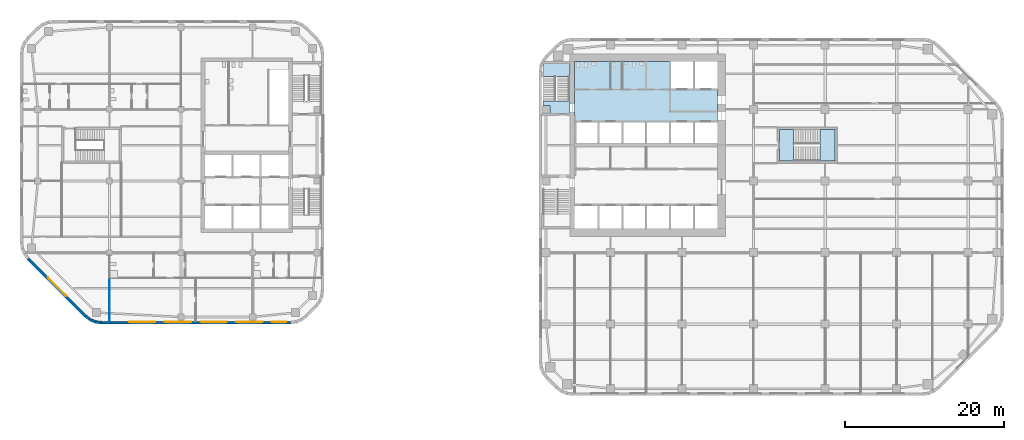
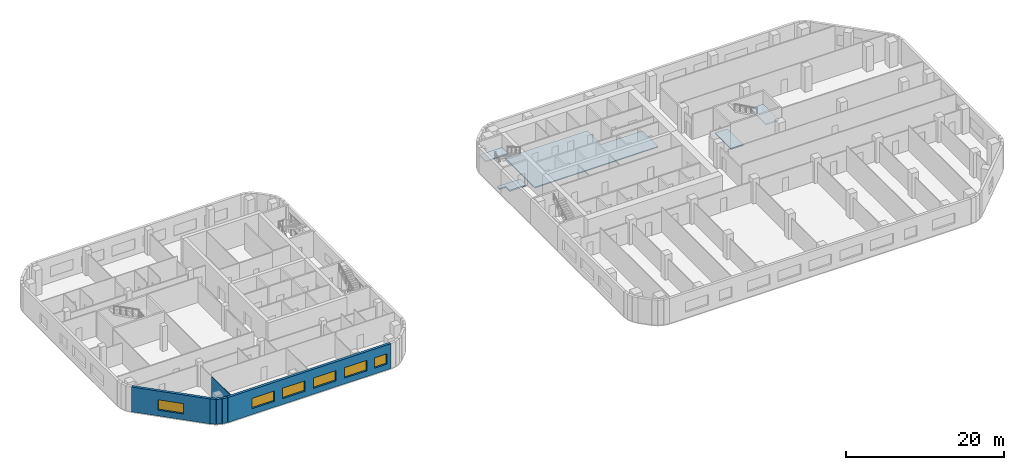
# One storey, part 4 of 15: 6 walls, 6 windows, 5 slabs, 6 openings, 2 elements without a shape of their own.
"""IFC4 building model written with IfcOpenShell, lengths in metres."""

from ifc_helpers import new_model, si_unit, direction, frame, frame_2d, origin, place, context, subcontext, project, spatial, polyline, rectangle, outline, extrude, material, layer, layer_set, type_object, element, fill, aggregate, save


model = new_model("IFC4")

# Units and contexts
model_context = context("Model", 3, precision=1e-05, world=origin(), true_north=direction((0.0, 1.0)))
body_context = subcontext(model_context, "Body", "Model", "MODEL_VIEW")
ifc_project = project(units=[si_unit("LENGTHUNIT", "METRE"), si_unit("AREAUNIT", "SQUARE_METRE"), si_unit("VOLUMEUNIT", "CUBIC_METRE"), si_unit("PLANEANGLEUNIT", "RADIAN"), si_unit("MASSUNIT", "GRAM", prefix="KILO")], contexts=[model_context])

# Site, building, storey
site_placement = place(None, origin())
site = spatial("IfcSite", under=ifc_project, at=site_placement, CompositionType="ELEMENT")
building_placement = place(site_placement, origin())
building = spatial("IfcBuilding", under=site, at=building_placement, Name="Cinnabar Reach Civic Tower", CompositionType="ELEMENT")
storey_placement = place(building_placement, frame((0.0, 0.0, 59.0)))
storey = spatial("IfcBuildingStorey", under=building, at=storey_placement, Name="L13", CompositionType="ELEMENT", Elevation=59.0)

# Stair, slabs
ifc_material_1 = material(Name="Concrete C40/50", Category="concrete")
stair_type = type_object("IfcStairType", Name="T1 Exit stair, half-turn", PredefinedType="HALF_TURN_STAIR", material=ifc_material_1)
stair_1_placement = place(storey_placement, origin())
stair_1 = element("IfcStair", 1, at=stair_1_placement, inside=storey, type_object=stair_type, Name="Stair T1-S2", PredefinedType="HALF_TURN_STAIR")
ifc_layer_1 = layer(ifc_material_1, 0.2)
ifc_layer_set_1 = layer_set([ifc_layer_1], Name="T1 Stair landing 200, Concrete C40/50")
slab_type_1 = type_object("IfcSlabType", Name="T1 Stair landing 200, Concrete C40/50", PredefinedType="LANDING", material=ifc_layer_set_1)
slab_1_placement = place(storey_placement, frame((0.0, 0.0, -0.2)))
slab_1 = element("IfcSlab", 2, at=slab_1_placement, type_object=slab_type_1, Name="T1-S2 landing 1", PredefinedType="LANDING", context=body_context, shape_type="SweptSolid", body=[
    extrude(outline(polyline([(0.5, 37.05), (3.9, 37.05), (3.9, 35.5), (1.4, 35.5), (1.4, 36.5), (0.5, 36.5), (0.5, 37.05)])), origin(), (0.0, 0.0, 1.0), 0.2),
])
slab_2_placement = place(storey_placement, frame((0.0, 0.0, 1.8)))
slab_2 = element("IfcSlab", 3, at=slab_2_placement, type_object=slab_type_1, Name="T1-S2 landing 2", PredefinedType="LANDING", context=body_context, shape_type="SweptSolid", body=[
    extrude(outline(polyline([(0.6, 40.13), (0.6, 41.75), (3.9, 41.75), (3.9, 40.13), (0.6, 40.13)])), origin(), (0.0, 0.0, 1.0), 0.2),
])
aggregate(stair_1, [slab_1, slab_2])

stair_2_placement = place(storey_placement, origin())
stair_2 = element("IfcStair", 4, at=stair_2_placement, inside=storey, type_object=stair_type, Name="Stair T1-S3", PredefinedType="HALF_TURN_STAIR")
slab_3_placement = place(storey_placement, frame((0.0, 0.0, -0.2)))
slab_3 = element("IfcSlab", 5, at=slab_3_placement, type_object=slab_type_1, Name="T1-S3 landing 1", PredefinedType="LANDING", context=body_context, shape_type="SweptSolid", body=[
    extrude(outline(polyline([(30.25, 29.5), (32.05, 29.5), (32.05, 33.5), (30.25, 33.5), (30.25, 29.5)])), origin(), (0.0, 0.0, 1.0), 0.2),
])
slab_4_placement = place(storey_placement, frame((0.0, 0.0, 1.8)))
slab_4 = element("IfcSlab", 6, at=slab_4_placement, type_object=slab_type_1, Name="T1-S3 landing 2", PredefinedType="LANDING", context=body_context, shape_type="SweptSolid", body=[
    extrude(outline(polyline([(35.35, 29.5), (37.25, 29.5), (37.25, 33.5), (35.35, 33.5), (35.35, 29.5)])), origin(), (0.0, 0.0, 1.0), 0.2),
])
aggregate(stair_2, [slab_3, slab_4])

# Slab
ifc_layer_2 = layer(ifc_material_1, 0.15)
ifc_layer_set_2 = layer_set([ifc_layer_2], Name="T1 core floor slab 150")
slab_type_2 = type_object("IfcSlabType", Name="T1 core floor slab 150", PredefinedType="FLOOR", material=ifc_layer_set_2)
slab_5_placement = place(storey_placement, frame((0.0, 0.0, -0.15)))
element("IfcSlab", 7, at=slab_5_placement, inside=storey, type_object=slab_type_2, Name="Core floor slab L13", PredefinedType="FLOOR", context=body_context, shape_type="SweptSolid", body=[
    extrude(outline(polyline([(22.5, 34.5), (19.5, 34.5), (16.5, 34.5), (13.5, 34.5), (10.5, 34.5), (7.5, 34.5), (4.5, 34.5), (4.5, 42.0), (16.5, 42.0), (16.5, 38.5), (19.5, 38.5), (22.5, 38.5), (22.5, 34.5)])), origin(), (0.0, 0.0, 1.0), 0.15),
])

# Walls
ifc_material_2 = material(Name="Facing brick with insulated backing", Category="masonry")
ifc_layer_3 = layer(ifc_material_2, 0.36)
ifc_layer_set_3 = layer_set([ifc_layer_3], Name="Brick corner wall")
wall_type_1 = type_object("IfcWallType", Name="Brick corner wall", PredefinedType="STANDARD", material=ifc_layer_set_3)
wall_1_placement = place(storey_placement, frame((-56.9913, 10.0002, 0.0), z_axis=(0.0, 0.0, 1.0), x_axis=(0.793321924995, -0.608802368033, 0.0)))
element("IfcWall", 8, at=wall_1_placement, inside=storey, type_object=wall_type_1, Name="Brick corner wall", PredefinedType="STANDARD", context=body_context, shape_type="SweptSolid", body=[
    extrude(rectangle(XDim=0.7132, YDim=0.36, at=frame_2d((0.3566, 0.0))), origin(), (0.0, 0.0, 1.0), 3.85),
])
for number, where, z_axis, x_axis, name in (
    (9, (-56.4061, 9.5548, 0.0), (0.0, 0.0, 1.0), (0.923871547278, -0.382702709855, 0.0), "Brick corner wall"),
    (10, (-55.7256, 9.2761, 0.0), (0.0, 0.0, 1.0), (0.99144092581, -0.13055608231, 0.0), "Brick corner wall"),
):
    element("IfcWall", number, at=place(storey_placement, frame(where, z_axis=z_axis, x_axis=x_axis)), inside=storey, type_object=wall_type_1, Name=name, PredefinedType="STANDARD", context=body_context, shape_type="SweptSolid", body=[
        extrude(rectangle(XDim=0.7131, YDim=0.36, at=frame_2d((0.3565, 0.0))), origin(), (0.0, 0.0, 1.0), 3.85),
    ])

# Wall, openings, windows
ifc_layer_4 = layer(ifc_material_2, 0.36)
ifc_layer_set_4 = layer_set([ifc_layer_4], Name="Brick pier and spandrel wall")
wall_type_2 = type_object("IfcWallType", Name="Brick pier and spandrel wall", PredefinedType="STANDARD", material=ifc_layer_set_4)
wall_2_placement = place(storey_placement, frame((-55.0074, 9.18, 0.0), z_axis=(0.0, 0.0, 1.0), x_axis=(1.0, 0.0, 0.0)))
wall_2 = element("IfcWall", 11, at=wall_2_placement, inside=storey, type_object=wall_type_2, Name="Brick facade wall", PredefinedType="STANDARD", context=body_context, shape_type="SweptSolid", body=[
    extrude(rectangle(XDim=23.7648, YDim=0.36, at=frame_2d((11.8824, 0.0))), origin(), (0.0, 0.0, 1.0), 3.85),
])
opening_1_placement = place(wall_2_placement, frame((3.4824, 0.0, 0.9)))
opening_1 = element("IfcOpeningElement", 12, at=opening_1_placement, cuts=wall_2, Name="Opening W2515", PredefinedType="OPENING", context=body_context, shape_type="SweptSolid", body=[
    extrude(rectangle(XDim=3.3, YDim=1.6, at=frame_2d((1.65, 0.8))), frame((0.0, 0.19, 0.0), z_axis=(0.0, -1.0, 0.0), x_axis=(1.0, 0.0, 0.0)), (0.0, 0.0, 1.0), 0.38),
])
opening_2_placement = place(wall_2_placement, frame((7.9824, 0.0, 0.9)))
opening_2 = element("IfcOpeningElement", 13, at=opening_2_placement, cuts=wall_2, Name="Opening W2516", PredefinedType="OPENING", context=body_context, shape_type="SweptSolid", body=[
    extrude(rectangle(XDim=3.3, YDim=1.6, at=frame_2d((1.65, 0.8))), frame((0.0, 0.19, 0.0), z_axis=(0.0, -1.0, 0.0), x_axis=(1.0, 0.0, 0.0)), (0.0, 0.0, 1.0), 0.38),
])
opening_3_placement = place(wall_2_placement, frame((12.4824, 0.0, 0.9)))
opening_3 = element("IfcOpeningElement", 14, at=opening_3_placement, cuts=wall_2, Name="Opening W2517", PredefinedType="OPENING", context=body_context, shape_type="SweptSolid", body=[
    extrude(rectangle(XDim=3.3, YDim=1.6, at=frame_2d((1.65, 0.8))), frame((0.0, 0.19, 0.0), z_axis=(0.0, -1.0, 0.0), x_axis=(1.0, 0.0, 0.0)), (0.0, 0.0, 1.0), 0.38),
])
opening_4_placement = place(wall_2_placement, frame((16.9824, 0.0, 0.9)))
opening_4 = element("IfcOpeningElement", 15, at=opening_4_placement, cuts=wall_2, Name="Opening W2518", PredefinedType="OPENING", context=body_context, shape_type="SweptSolid", body=[
    extrude(rectangle(XDim=3.3, YDim=1.6, at=frame_2d((1.65, 0.8))), frame((0.0, 0.19, 0.0), z_axis=(0.0, -1.0, 0.0), x_axis=(1.0, 0.0, 0.0)), (0.0, 0.0, 1.0), 0.38),
])
opening_5_placement = place(wall_2_placement, frame((21.4235, 0.0, 0.9)))
opening_5 = element("IfcOpeningElement", 16, at=opening_5_placement, cuts=wall_2, Name="Opening W2519", PredefinedType="OPENING", context=body_context, shape_type="SweptSolid", body=[
    extrude(rectangle(XDim=1.8, YDim=1.6, at=frame_2d((0.9, 0.8))), frame((0.0, 0.19, 0.0), z_axis=(0.0, -1.0, 0.0), x_axis=(1.0, 0.0, 0.0)), (0.0, 0.0, 1.0), 0.38),
])
ifc_material_3 = material(Name="Clear double glazing in aluminium frame", Category="aluminium")
window_type_1 = type_object("IfcWindowType", Name="Deep-set window A", PartitioningType="SINGLE_PANEL", PredefinedType="WINDOW", material=ifc_material_3)
window_1_placement = place(opening_1_placement, origin())
window_1 = element("IfcWindow", 17, at=window_1_placement, inside=storey, type_object=window_type_1, Name="Window south face", OverallHeight=1.6, OverallWidth=3.3, PartitioningType="SINGLE_PANEL", PredefinedType="WINDOW", context=body_context, shape_type="SweptSolid", body=[
    extrude(rectangle(XDim=3.3, YDim=1.6, at=frame_2d((1.65, 0.8))), frame((0.0, 0.13, 0.0), z_axis=(0.0, -1.0, 0.0), x_axis=(1.0, 0.0, 0.0)), (0.0, 0.0, 1.0), 0.06),
])
fill(opening_1, window_1)
window_2_placement = place(opening_2_placement, origin())
window_2 = element("IfcWindow", 18, at=window_2_placement, inside=storey, type_object=window_type_1, Name="Window south face", OverallHeight=1.6, OverallWidth=3.3, PartitioningType="SINGLE_PANEL", PredefinedType="WINDOW", context=body_context, shape_type="SweptSolid", body=[
    extrude(rectangle(XDim=3.3, YDim=1.6, at=frame_2d((1.65, 0.8))), frame((0.0, 0.13, 0.0), z_axis=(0.0, -1.0, 0.0), x_axis=(1.0, 0.0, 0.0)), (0.0, 0.0, 1.0), 0.06),
])
fill(opening_2, window_2)
window_3_placement = place(opening_3_placement, origin())
window_3 = element("IfcWindow", 19, at=window_3_placement, inside=storey, type_object=window_type_1, Name="Window south face", OverallHeight=1.6, OverallWidth=3.3, PartitioningType="SINGLE_PANEL", PredefinedType="WINDOW", context=body_context, shape_type="SweptSolid", body=[
    extrude(rectangle(XDim=3.3, YDim=1.6, at=frame_2d((1.65, 0.8))), frame((0.0, 0.13, 0.0), z_axis=(0.0, -1.0, 0.0), x_axis=(1.0, 0.0, 0.0)), (0.0, 0.0, 1.0), 0.06),
])
fill(opening_3, window_3)
window_4_placement = place(opening_4_placement, origin())
window_4 = element("IfcWindow", 20, at=window_4_placement, inside=storey, type_object=window_type_1, Name="Window south face", OverallHeight=1.6, OverallWidth=3.3, PartitioningType="SINGLE_PANEL", PredefinedType="WINDOW", context=body_context, shape_type="SweptSolid", body=[
    extrude(rectangle(XDim=3.3, YDim=1.6, at=frame_2d((1.65, 0.8))), frame((0.0, 0.13, 0.0), z_axis=(0.0, -1.0, 0.0), x_axis=(1.0, 0.0, 0.0)), (0.0, 0.0, 1.0), 0.06),
])
fill(opening_4, window_4)
window_type_2 = type_object("IfcWindowType", Name="Deep-set window D", PartitioningType="SINGLE_PANEL", PredefinedType="WINDOW", material=ifc_material_3)
window_5_placement = place(opening_5_placement, origin())
window_5 = element("IfcWindow", 21, at=window_5_placement, inside=storey, type_object=window_type_2, Name="Window south face", OverallHeight=1.6, OverallWidth=1.8, PartitioningType="SINGLE_PANEL", PredefinedType="WINDOW", context=body_context, shape_type="SweptSolid", body=[
    extrude(rectangle(XDim=1.8, YDim=1.6, at=frame_2d((0.9, 0.8))), frame((0.0, 0.13, 0.0), z_axis=(0.0, -1.0, 0.0), x_axis=(1.0, 0.0, 0.0)), (0.0, 0.0, 1.0), 0.06),
])
fill(opening_5, window_5)

# Wall, opening, window
wall_3_placement = place(storey_placement, frame((-64.244, 17.2486, 0.0), z_axis=(0.0, 0.0, 1.0), x_axis=(0.707106781187, -0.707106781187, 0.0)))
wall_3 = element("IfcWall", 22, at=wall_3_placement, inside=storey, type_object=wall_type_2, Name="Brick facade wall", PredefinedType="STANDARD", context=body_context, shape_type="SweptSolid", body=[
    extrude(rectangle(XDim=10.2426, YDim=0.36, at=frame_2d((5.1213, 0.0))), origin(), (0.0, 0.0, 1.0), 3.85),
])
opening_6_placement = place(wall_3_placement, frame((3.4713, 0.0, 0.9)))
opening_6 = element("IfcOpeningElement", 23, at=opening_6_placement, cuts=wall_3, Name="Opening W2532", PredefinedType="OPENING", context=body_context, shape_type="SweptSolid", body=[
    extrude(rectangle(XDim=3.3, YDim=1.6, at=frame_2d((1.65, 0.8))), frame((0.0, 0.19, 0.0), z_axis=(0.0, -1.0, 0.0), x_axis=(1.0, 0.0, 0.0)), (0.0, 0.0, 1.0), 0.38),
])
window_6_placement = place(opening_6_placement, origin())
window_6 = element("IfcWindow", 24, at=window_6_placement, inside=storey, type_object=window_type_1, Name="Window southwest face", OverallHeight=1.6, OverallWidth=3.3, PartitioningType="SINGLE_PANEL", PredefinedType="WINDOW", context=body_context, shape_type="SweptSolid", body=[
    extrude(rectangle(XDim=3.3, YDim=1.6, at=frame_2d((1.65, 0.8))), frame((0.0, 0.13, 0.0), z_axis=(0.0, -1.0, 0.0), x_axis=(1.0, 0.0, 0.0)), (0.0, 0.0, 1.0), 0.06),
])
fill(opening_6, window_6)

# Wall
ifc_material_4 = material(Name="Gypsum board on steel studs", Category="steel")
ifc_layer_5 = layer(ifc_material_4, 0.1)
ifc_layer_set_5 = layer_set([ifc_layer_5], Name="Partition wall 100 T2")
wall_type_3 = type_object("IfcWallType", Name="Partition wall 100 T2", PredefinedType="PARTITIONING", material=ifc_layer_set_5)
wall_4_placement = place(storey_placement, frame((-54.0, 9.36, 0.0), z_axis=(0.0, 0.0, 1.0), x_axis=(0.0, 1.0, 0.0)))
element("IfcWall", 25, at=wall_4_placement, inside=storey, type_object=wall_type_3, Name="Partition wall 24", PredefinedType="PARTITIONING", context=body_context, shape_type="SweptSolid", body=[
    extrude(rectangle(XDim=5.39, YDim=0.1, at=frame_2d((2.695, 0.0))), origin(), (0.0, 0.0, 1.0), 3.256),
])

save(model, "model.ifc")
